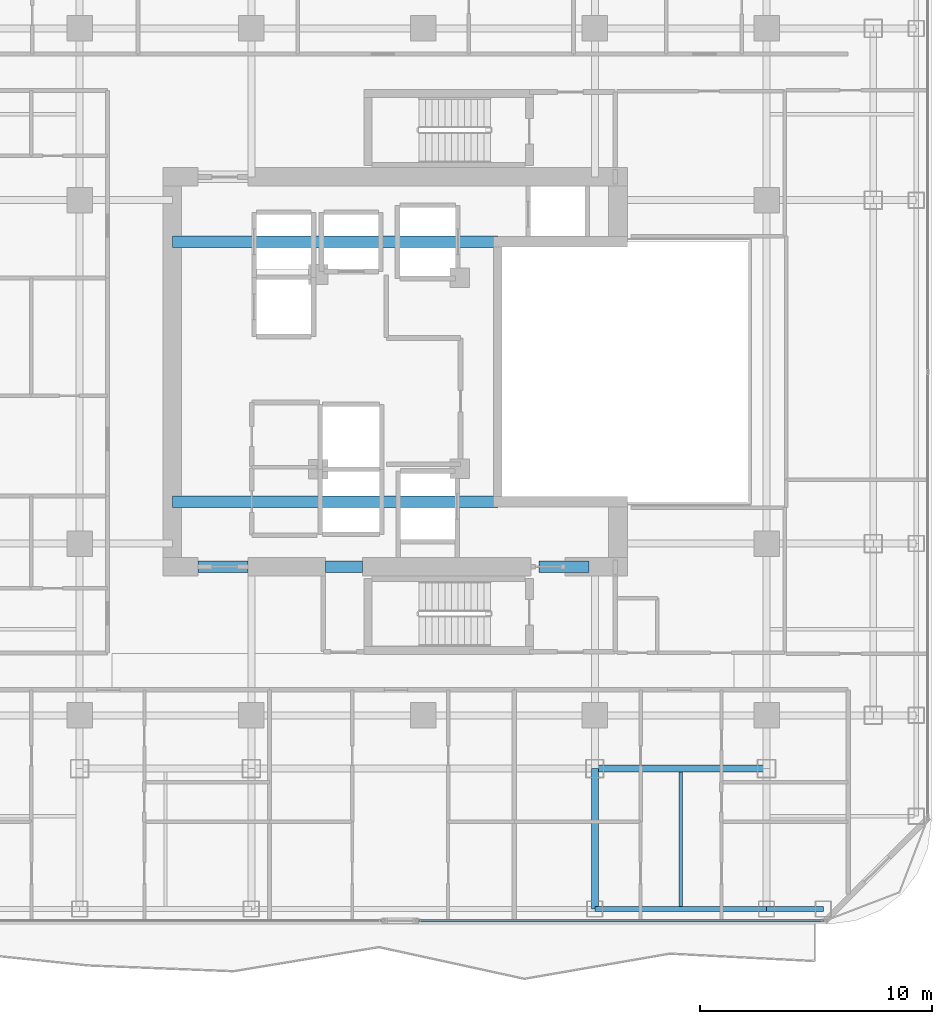
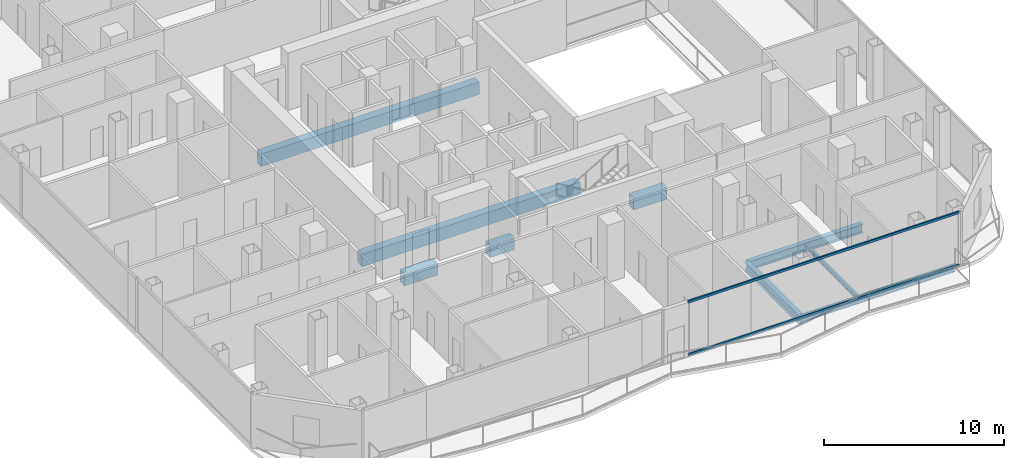
# One storey, part 6 of 26: 10 beams, 2 members, 1 element without a shape of its own.
"""IFC4 building model written with IfcOpenShell, lengths in metres."""

import ifcopenshell
import ifcopenshell.guid

model = None  # the IFC model being written
_history = None  # IfcOwnerHistory: only IFC2X3 demands one
_inside = {}  # id of a spatial element -> (the spatial element, [elements in it])
_under = {}  # id of a project, library or spatial element -> (it, [spatial elements below it])
_declared = {}  # id of a project -> (the project, [libraries it declares])
_typed = {}  # id of a type object -> (the type object, [elements of that type])
_made_of = {}  # id of a material, layer set ... -> (it, [elements and type objects made of it])


def new_model(schema):
    """Start an empty IFC model of exactly this schema.

    Asked for "IFC4X3", IfcOpenShell would pick the latest addendum, in which some entities
    have other attributes; the version numbers below select the first issue.
    IFC2X3 requires an IfcOwnerHistory on every rooted entity: one is made here for all.
    """
    global model, _history
    if schema == "IFC4X3":
        model = ifcopenshell.file(schema_version=(4, 3, 0, 0))
    else:
        model = ifcopenshell.file(schema=schema)
    _inside.clear()
    _under.clear()
    _declared.clear()
    _typed.clear()
    _made_of.clear()
    _history = None
    if model.schema == "IFC2X3":
        org = make("IfcOrganization", Name="unknown")
        user = make(
            "IfcPersonAndOrganization",
            ThePerson=make("IfcPerson", FamilyName="unknown"),
            TheOrganization=org,
        )
        app = make(
            "IfcApplication",
            ApplicationDeveloper=org,
            Version="unknown",
            ApplicationFullName="unknown",
            ApplicationIdentifier="unknown",
        )
        _history = make(
            "IfcOwnerHistory",
            OwningUser=user,
            OwningApplication=app,
            ChangeAction="ADDED",
            CreationDate=0,
        )
    return model


def make(cls, **values):
    """One entity of the class cls with the attributes given. An attribute that is None is left unset."""
    return model.create_entity(
        cls, **{name: value for name, value in values.items() if value is not None}
    )


def rooted(cls, **values):
    """An entity with a GlobalId (a new one), such as an element, a storey or a relation."""
    return make(cls, GlobalId=ifcopenshell.guid.new(), OwnerHistory=_history, **values)


def si_unit(unit_type, name, prefix=None):
    """IfcSIUnit, for example si_unit("LENGTHUNIT", "METRE", prefix="MILLI")."""
    return make("IfcSIUnit", UnitType=unit_type, Prefix=prefix, Name=name)


def assignment(units):
    """IfcUnitAssignment: the units of a project."""
    return None if units is None else make("IfcUnitAssignment", Units=units)


def point(xyz):
    """IfcCartesianPoint."""
    return None if xyz is None else make("IfcCartesianPoint", Coordinates=xyz)


def direction(xyz):
    """IfcDirection."""
    return None if xyz is None else make("IfcDirection", DirectionRatios=xyz)


def frame(location, z_axis=None, x_axis=None):
    """IfcAxis2Placement3D, a coordinate frame: its origin and axes. An axis left out is left unset."""
    return make(
        "IfcAxis2Placement3D",
        Location=point(location),
        Axis=direction(z_axis),
        RefDirection=direction(x_axis),
    )


def frame_2d(location, x_axis=None):
    """IfcAxis2Placement2D, a coordinate frame in the plane: its origin and x axis."""
    return make(
        "IfcAxis2Placement2D", Location=point(location), RefDirection=direction(x_axis)
    )


def origin():
    """The frame at (0, 0, 0) with its axes left unset."""
    return frame((0.0, 0.0, 0.0))


def origin_2d():
    """The frame at (0, 0) in the plane with its x axis left unset."""
    return frame_2d((0.0, 0.0))


def place(relative_to, where):
    """IfcLocalPlacement: puts the frame where relative to a parent placement (None: the world)."""
    return make(
        "IfcLocalPlacement", PlacementRelTo=relative_to, RelativePlacement=where
    )


def context(
    kind, dimensions, precision=None, world=None, true_north=None, identifier=None
):
    """IfcGeometricRepresentationContext, for example the 3D "Model" context."""
    return make(
        "IfcGeometricRepresentationContext",
        ContextIdentifier=identifier,
        ContextType=kind,
        CoordinateSpaceDimension=dimensions,
        Precision=precision,
        WorldCoordinateSystem=world,
        TrueNorth=true_north,
    )


def subcontext(parent, identifier, kind, view, scale=None):
    """IfcGeometricRepresentationSubContext, for example "Body" below "Model"."""
    return make(
        "IfcGeometricRepresentationSubContext",
        ContextIdentifier=identifier,
        ContextType=kind,
        ParentContext=parent,
        TargetScale=scale,
        TargetView=view,
    )


def project(units=None, contexts=None):
    """IfcProject with its units and contexts."""
    return rooted(
        "IfcProject",
        Name="project",
        RepresentationContexts=contexts,
        UnitsInContext=assignment(units),
    )


def spatial(cls, under=None, at=None, **own):
    """A site, building, storey or space (cls), placed at a placement, below another one or the project."""
    s = rooted(cls, ObjectPlacement=at, **own)
    if under is not None:
        _under.setdefault(under.id(), (under, []))[1].append(s)
    return s


def profile(cls, at=None, kind="AREA", **sizes):
    """A parametric profile (cls). Its sizes go by their IFC names, for example OverallWidth=200.0."""
    return make(cls, ProfileType=kind, Position=at, **sizes)


def rectangle(**sizes):
    """IfcRectangleProfileDef."""
    return profile("IfcRectangleProfileDef", **sizes)


def hollow_rectangle(**sizes):
    """IfcRectangleHollowProfileDef."""
    return profile("IfcRectangleHollowProfileDef", **sizes)


def i_section(**sizes):
    """IfcIShapeProfileDef."""
    return profile("IfcIShapeProfileDef", **sizes)


def extrude(swept, where, along, depth):
    """IfcExtrudedAreaSolid: the profile swept, set in the frame where, extruded along a direction by depth."""
    return make(
        "IfcExtrudedAreaSolid",
        SweptArea=swept,
        Position=where,
        ExtrudedDirection=direction(along),
        Depth=depth,
    )


def shape(context_of_items, identifier, shape_type, items):
    """IfcShapeRepresentation: the items that make up one representation, for example the "Body"."""
    return make(
        "IfcShapeRepresentation",
        ContextOfItems=context_of_items,
        RepresentationIdentifier=identifier,
        RepresentationType=shape_type,
        Items=items,
    )


def material(Name=None, Category=None):
    """IfcMaterial."""
    return make("IfcMaterial", Name=Name, Category=Category)


def layer(
    of_material, thickness, ventilated=None, Name=None, Category=None, Priority=None
):
    """IfcMaterialLayer: one layer of a wall or slab, of a material (None: an air gap)."""
    return make(
        "IfcMaterialLayer",
        Material=of_material,
        LayerThickness=thickness,
        IsVentilated=ventilated,
        Name=Name,
        Category=Category,
        Priority=Priority,
    )


def layer_set(layers, Name=None):
    """IfcMaterialLayerSet."""
    return make("IfcMaterialLayerSet", MaterialLayers=layers, LayerSetName=Name)


def material_profile(
    of_material, cross_section, Name=None, Category=None, Priority=None
):
    """IfcMaterialProfile: a cross section and its material."""
    return make(
        "IfcMaterialProfile",
        Name=Name,
        Material=of_material,
        Profile=cross_section,
        Priority=Priority,
        Category=Category,
    )


def profile_set(profiles, Name=None, composite=None):
    """IfcMaterialProfileSet."""
    return make(
        "IfcMaterialProfileSet",
        Name=Name,
        MaterialProfiles=profiles,
        CompositeProfile=composite,
    )


def made_of(thing, what):
    """Note that an element or type object is made of a material, layer set ...; save() writes the relation."""
    if what is not None:
        _made_of.setdefault(what.id(), (what, []))[1].append(thing)
    return thing


def type_object(cls, material=None, **own):
    """A type object (cls), such as IfcWallType, which elements share."""
    return made_of(rooted(cls, **own), material)


def element(
    cls,
    number,
    at=None,
    inside=None,
    cuts=None,
    type_object=None,
    material=None,
    context=None,
    identifier="Body",
    shape_type=None,
    held_by="IfcProductDefinitionShape",
    body=None,
    shapes=None,
    **own,
):
    """One element of the class cls, such as IfcWall. Its Tag is "e" and its number.

    at: its placement. inside: the storey or other place that contains it. cuts: it is an
    opening in that element (IfcRelVoidsElement). A single representation is given by context,
    identifier, shape_type and body (its items); several are given by shapes. held_by: the class
    of the entity that holds the representations. save() writes the other relations.
    """
    e = rooted(cls, Tag="e%d" % number, ObjectPlacement=at, **own)
    if body is not None:
        shapes = [shape(context, identifier, shape_type, body)]
    if shapes is not None:
        e.Representation = make(held_by, Representations=shapes)
    if inside is not None:
        _inside.setdefault(inside.id(), (inside, []))[1].append(e)
    if cuts is not None:
        rooted(
            "IfcRelVoidsElement", RelatingBuildingElement=cuts, RelatedOpeningElement=e
        )
    if type_object is not None:
        _typed.setdefault(type_object.id(), (type_object, []))[1].append(e)
    return made_of(e, material)


def aggregate(whole, parts):
    """IfcRelAggregates: a whole, such as a stair, and the parts it consists of."""
    return rooted("IfcRelAggregates", RelatingObject=whole, RelatedObjects=parts)


def save(model, path):
    """Write the relations noted so far, then the file.

    IfcRelAggregates (storeys below a building ...), IfcRelContainedInSpatialStructure (elements
    in a storey), IfcRelDefinesByType, IfcRelAssociatesMaterial and IfcRelDeclares: one each for
    every whole, place, type object, material and project.
    """
    for whole, parts in _under.values():
        aggregate(whole, parts)
    for where, things in _inside.values():
        rooted(
            "IfcRelContainedInSpatialStructure",
            RelatedElements=things,
            RelatingStructure=where,
        )
    for kind, things in _typed.values():
        rooted("IfcRelDefinesByType", RelatedObjects=things, RelatingType=kind)
    for what, things in _made_of.values():
        rooted("IfcRelAssociatesMaterial", RelatedObjects=things, RelatingMaterial=what)
    for by, libraries in _declared.values():
        rooted("IfcRelDeclares", RelatingContext=by, RelatedDefinitions=libraries)
    model.write(path)


model = new_model("IFC4")

# Units and contexts
model_context = context("Model", 3, precision=1e-05, world=origin(), true_north=direction((0.0, 1.0)))
body_context = subcontext(model_context, "Body", "Model", "MODEL_VIEW")
ifc_project = project(units=[si_unit("LENGTHUNIT", "METRE"), si_unit("AREAUNIT", "SQUARE_METRE"), si_unit("VOLUMEUNIT", "CUBIC_METRE"), si_unit("PLANEANGLEUNIT", "RADIAN"), si_unit("MASSUNIT", "GRAM", prefix="KILO")], contexts=[model_context])

# Site, building, storey
site_placement = place(None, origin())
site = spatial("IfcSite", under=ifc_project, at=site_placement, CompositionType="ELEMENT")
building_placement = place(site_placement, origin())
building = spatial("IfcBuilding", under=site, at=building_placement, Name="Khorvyn Point Tower", CompositionType="ELEMENT")
storey_placement = place(building_placement, frame((0.0, 0.0, 183.60009765625)))
storey = spatial("IfcBuildingStorey", under=building, at=storey_placement, Name="L45", CompositionType="ELEMENT", Elevation=183.60009765625)

# Curtain wall, members
ifc_material_1 = material(Name="Anodised aluminium 6063-T6 and laminated Low-E glass", Category="aluminium")
ifc_layer = layer(ifc_material_1, 0.18994140625)
ifc_layer_set = layer_set([ifc_layer], Name="Stick-Built Acoustic Curtain Wall CW-SYS-03")
curtain_wall_type = type_object("IfcCurtainWallType", Name="Stick-Built Acoustic Curtain Wall CW-SYS-03", PredefinedType="NOTDEFINED", material=ifc_layer_set)
curtain_wall_placement = place(storey_placement, origin())
curtain_wall = element("IfcCurtainWall", 1, at=curtain_wall_placement, inside=storey, type_object=curtain_wall_type, Name="Curtain Wall", PredefinedType="NOTDEFINED")
ifc_material_2 = material(Name="Anodised aluminium 6063-T6", Category="aluminium")
ifc_material_profile_1 = material_profile(ifc_material_2, hollow_rectangle(XDim=0.10009765625, YDim=0.159912109375, WallThickness=0.00439453125, at=origin_2d()))
ifc_profile_set_1 = profile_set([ifc_material_profile_1], Name="Anodised aluminium 6063-T6 ALU-TRN-100x160")
member_type = type_object("IfcMemberType", Name="Anodised Aluminium 6063-T6 Transom ALU-TRN-100x160", PredefinedType="USERDEFINED", material=ifc_profile_set_1)
member_1_placement = place(storey_placement, frame((17.25, -23.64990234375, 0.0498046875), z_axis=(-1.0, 0.0, 0.0), x_axis=(0.0, -1.0, 0.0)))
member_1 = element("IfcMember", 2, at=member_1_placement, type_object=member_type, Name="Transom", ObjectType="TRANSOM", PredefinedType="USERDEFINED", context=body_context, shape_type="SweptSolid", body=[
    extrude(hollow_rectangle(XDim=0.10009765625, YDim=0.159912109375, WallThickness=0.00439453125, at=origin_2d()), origin(), (0.0, 0.0, 1.0), 17.416015625),
])
member_2_placement = place(storey_placement, frame((17.25, -23.64990234375, 3.6298828125), z_axis=(-1.0, 0.0, 0.0), x_axis=(0.0, -1.0, 0.0)))
member_2 = element("IfcMember", 3, at=member_2_placement, type_object=member_type, Name="Transom", ObjectType="TRANSOM", PredefinedType="USERDEFINED", context=body_context, shape_type="SweptSolid", body=[
    extrude(hollow_rectangle(XDim=0.10009765625, YDim=0.159912109375, WallThickness=0.00439453125, at=origin_2d()), origin(), (0.0, 0.0, 1.0), 17.416015625),
])
aggregate(curtain_wall, [member_1, member_2])

# Beams
ifc_material_3 = material(Name="Concrete C45/55", Category="concrete")
ifc_material_profile_2 = material_profile(ifc_material_3, rectangle(XDim=0.5, YDim=0.85009765625, at=origin_2d()))
ifc_profile_set_2 = profile_set([ifc_material_profile_2], Name="Concrete C45/55 RC500x850")
beam_type_1 = type_object("IfcBeamType", Name="Concrete C45/55 Beam RC500x850", PredefinedType="BEAM", material=ifc_profile_set_2)
for number, where, z_axis, x_axis, name in (
    (4, (-10.800048828125, -5.60009765625, -0.64501953125), (1.0, 0.0, 0.0), (0.0, 1.0, 0.0), "L45 Core Internal Tie Girder S"),
    (5, (-10.800048828125, 5.60009765625, -0.64501953125), (1.0, 0.0, 0.0), (0.0, 1.0, 0.0), "L45 Core Internal Tie Girder N"),
):
    element("IfcBeam", number, at=place(storey_placement, frame(where, z_axis=z_axis, x_axis=x_axis)), inside=storey, type_object=beam_type_1, Name=name, PredefinedType="BEAM", context=body_context, shape_type="SweptSolid", body=[
        extrude(rectangle(XDim=0.5, YDim=0.85009765625, at=origin_2d()), origin(), (0.0, 0.0, 1.0), 14.02001953125),
    ])
beam_1_placement = place(storey_placement, frame((-9.699951171875, -8.39990234375, -0.64501953125), z_axis=(1.0, 0.0, 0.0), x_axis=(0.0, 1.0, 0.0)))
element("IfcBeam", 6, at=beam_1_placement, inside=storey, type_object=beam_type_1, Name="L45 Core Southwest Portal Coupling Beam", PredefinedType="BEAM", context=body_context, shape_type="SweptSolid", body=[
    extrude(rectangle(XDim=0.5, YDim=0.85009765625, at=origin_2d()), origin(), (0.0, 0.0, 1.0), 2.14990234375),
])
beam_2_placement = place(storey_placement, frame((-4.199951171875, -8.39990234375, -0.64501953125), z_axis=(1.0, 0.0, 0.0), x_axis=(0.0, 1.0, 0.0)))
element("IfcBeam", 7, at=beam_2_placement, inside=storey, type_object=beam_type_1, Name="L45 Core Shuttle Portal Coupling Beam", PredefinedType="BEAM", context=body_context, shape_type="SweptSolid", body=[
    extrude(rectangle(XDim=0.5, YDim=0.85009765625, at=origin_2d()), origin(), (0.0, 0.0, 1.0), 1.579833984375),
])
beam_3_placement = place(storey_placement, frame((5.0, -8.39990234375, -0.64501953125), z_axis=(1.0, 0.0, 0.0), x_axis=(0.0, 1.0, 0.0)))
element("IfcBeam", 8, at=beam_3_placement, inside=storey, type_object=beam_type_1, Name="L45 Core Southeast Portal Coupling Beam", PredefinedType="BEAM", context=body_context, shape_type="SweptSolid", body=[
    extrude(rectangle(XDim=0.5, YDim=0.85009765625, at=origin_2d()), origin(), (0.0, 0.0, 1.0), 2.14990234375),
])
ifc_material_4 = material(Name="Steel S355", Category="steel")
ifc_material_profile_3 = material_profile(ifc_material_4, i_section(OverallWidth=0.300048828125, OverallDepth=0.587890625, WebThickness=0.011962890625, FlangeThickness=0.02001953125, at=origin_2d()))
ifc_profile_set_3 = profile_set([ifc_material_profile_3], Name="Steel S355 H588x300x12x20")
beam_type_2 = type_object("IfcBeamType", Name="Steel S355 Beam H588x300x12x20", PredefinedType="BEAM", material=ifc_profile_set_3)
beam_4_placement = place(storey_placement, frame((7.39990234375, -17.10009765625, -0.51416015625), z_axis=(1.0, 0.0, 0.0), x_axis=(0.0, 1.0, 0.0)))
element("IfcBeam", 9, at=beam_4_placement, inside=storey, type_object=beam_type_2, Name="Beam", PredefinedType="BEAM", context=body_context, shape_type="SweptSolid", body=[
    extrude(i_section(OverallWidth=0.300048828125, OverallDepth=0.587890625, WebThickness=0.011962890625, FlangeThickness=0.02001953125, at=origin_2d()), origin(), (0.0, 0.0, 1.0), 7.400146484375),
])
beam_5_placement = place(storey_placement, frame((7.39990234375, -23.14990234375, -0.51416015625), z_axis=(0.0, 1.0, 0.0), x_axis=(-1.0, 0.0, 0.0)))
element("IfcBeam", 10, at=beam_5_placement, inside=storey, type_object=beam_type_2, Name="Beam", PredefinedType="BEAM", context=body_context, shape_type="SweptSolid", body=[
    extrude(i_section(OverallWidth=0.300048828125, OverallDepth=0.587890625, WebThickness=0.011962890625, FlangeThickness=0.02001953125, at=origin_2d()), origin(), (0.0, 0.0, 1.0), 6.0498046875),
])
ifc_material_profile_4 = material_profile(ifc_material_4, i_section(OverallWidth=0.14990234375, OverallDepth=0.300048828125, WebThickness=0.006591796875, FlangeThickness=0.009033203125, at=origin_2d()))
ifc_profile_set_4 = profile_set([ifc_material_profile_4], Name="Steel S355 H300x150x6.5x9")
beam_type_3 = type_object("IfcBeamType", Name="Steel S355 Joist H300x150x6.5x9", PredefinedType="JOIST", material=ifc_profile_set_4)
beam_6_placement = place(storey_placement, frame((11.10009765625, -23.050048828125, -0.3701171875), z_axis=(0.0, 1.0, 0.0), x_axis=(-1.0, 0.0, 0.0)))
element("IfcBeam", 11, at=beam_6_placement, inside=storey, type_object=beam_type_3, Name="Beam", PredefinedType="JOIST", context=body_context, shape_type="SweptSolid", body=[
    extrude(i_section(OverallWidth=0.14990234375, OverallDepth=0.300048828125, WebThickness=0.006591796875, FlangeThickness=0.009033203125, at=origin_2d()), origin(), (0.0, 0.0, 1.0), 5.800048828125),
])
ifc_material_profile_5 = material_profile(ifc_material_4, i_section(OverallWidth=0.199951171875, OverallDepth=0.449951171875, WebThickness=0.009033203125, FlangeThickness=0.013916015625, at=origin_2d()))
ifc_profile_set_5 = profile_set([ifc_material_profile_5], Name="Steel S355 H450x200x9x14")
beam_type_4 = type_object("IfcBeamType", Name="Steel S355 Spandrel H450x200x9x14", PredefinedType="SPANDREL", material=ifc_profile_set_5)
beam_7_placement = place(storey_placement, frame((7.39990234375, -23.14990234375, -0.445068359375), z_axis=(1.0, 0.0, 0.0), x_axis=(0.0, 1.0, 0.0)))
element("IfcBeam", 12, at=beam_7_placement, inside=storey, type_object=beam_type_4, Name="Beam", PredefinedType="SPANDREL", context=body_context, shape_type="SweptSolid", body=[
    extrude(i_section(OverallWidth=0.199951171875, OverallDepth=0.449951171875, WebThickness=0.009033203125, FlangeThickness=0.013916015625, at=origin_2d()), origin(), (0.0, 0.0, 1.0), 7.400146484375),
])
beam_8_placement = place(storey_placement, frame((14.800048828125, -23.14990234375, -0.445068359375), z_axis=(1.0, 0.0, 0.0), x_axis=(0.0, 1.0, 0.0)))
element("IfcBeam", 13, at=beam_8_placement, inside=storey, type_object=beam_type_4, Name="Beam", PredefinedType="SPANDREL", context=body_context, shape_type="SweptSolid", body=[
    extrude(i_section(OverallWidth=0.199951171875, OverallDepth=0.449951171875, WebThickness=0.009033203125, FlangeThickness=0.013916015625, at=origin_2d()), origin(), (0.0, 0.0, 1.0), 2.449951171875),
])

save(model, "model.ifc")
